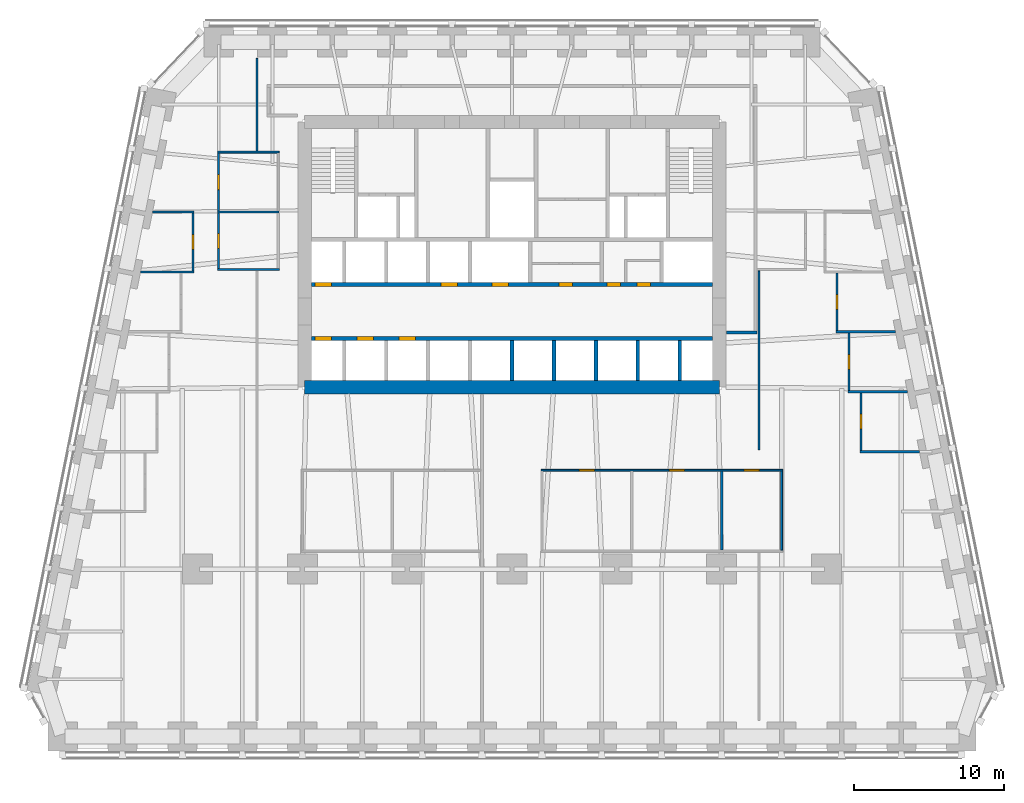
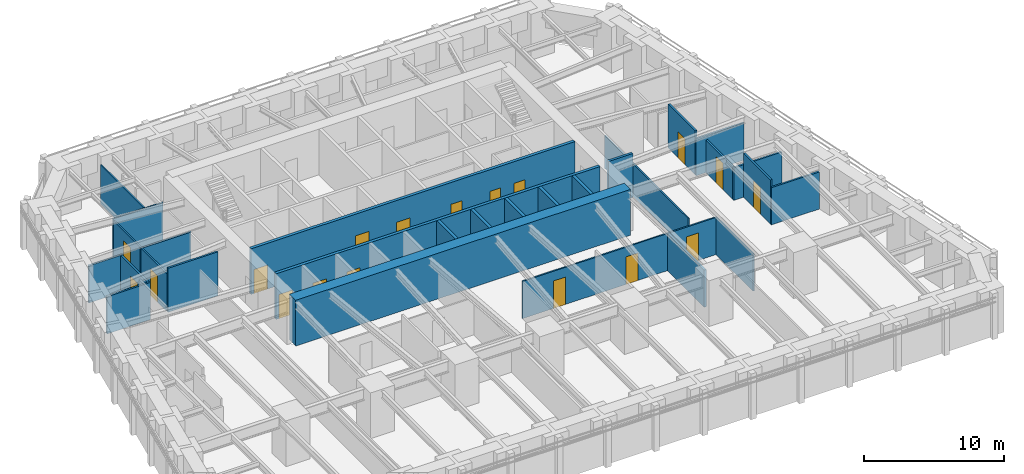
# One storey, part 6 of 10: 28 walls, 18 doors, 18 openings.
"""IFC4 building model written with IfcOpenShell, lengths in metres."""

from ifc_helpers import new_model, si_unit, direction, frame, frame_2d, origin, place, context, subcontext, project, spatial, rectangle, extrude, material, layer, layer_set, type_object, element, fill, save


model = new_model("IFC4")

# Units and contexts
model_context = context("Model", 3, precision=1e-05, world=origin(), true_north=direction((0.0, 1.0)))
body_context = subcontext(model_context, "Body", "Model", "MODEL_VIEW")
ifc_project = project(units=[si_unit("LENGTHUNIT", "METRE"), si_unit("AREAUNIT", "SQUARE_METRE"), si_unit("VOLUMEUNIT", "CUBIC_METRE"), si_unit("PLANEANGLEUNIT", "RADIAN"), si_unit("MASSUNIT", "GRAM", prefix="KILO")], contexts=[model_context])

# Site, building, storey
site_placement = place(None, origin())
site = spatial("IfcSite", under=ifc_project, at=site_placement, CompositionType="ELEMENT")
building_placement = place(site_placement, origin())
building = spatial("IfcBuilding", under=site, at=building_placement, Name="Isbrekke Arena Tower", CompositionType="ELEMENT")
storey_placement = place(building_placement, frame((0.0, 0.0, 68.0)))
storey = spatial("IfcBuildingStorey", under=building, at=storey_placement, Name="L14", CompositionType="ELEMENT", Elevation=68.0)

# Wall
ifc_material_1 = material(Name="Concrete B65 (C65/80)", Category="concrete")
ifc_layer_1 = layer(ifc_material_1, 0.89990234375)
ifc_layer_set_1 = layer_set([ifc_layer_1], Name="CW2 CORE WALL 900")
wall_type_1 = type_object("IfcWallType", Name="CW2 CORE WALL 900", PredefinedType="SHEAR", material=ifc_layer_set_1)
wall_1_placement = place(storey_placement, frame((-13.85009765625, 6.14990234375, 0.0), z_axis=(0.0, 0.0, 1.0), x_axis=(1.0, 0.0, 0.0)))
element("IfcWall", 1, at=wall_1_placement, inside=storey, type_object=wall_type_1, Name="Core wall S L14", PredefinedType="SHEAR", context=body_context, shape_type="SweptSolid", body=[
    extrude(rectangle(XDim=27.7001953125, YDim=0.89990234375, at=frame_2d((13.85009765625, 0.0))), origin(), (0.0, 0.0, 1.0), 4.0),
])

# Wall, openings, doors
ifc_material_2 = material(Name="Concrete B45 (C45/55)", Category="concrete")
ifc_layer_2 = layer(ifc_material_2, 0.25)
ifc_layer_set_2 = layer_set([ifc_layer_2], Name="CW6 SHAFT WALL 250")
wall_type_2 = type_object("IfcWallType", Name="CW6 SHAFT WALL 250", PredefinedType="SHEAR", material=ifc_layer_set_2)
wall_2_placement = place(storey_placement, frame((-13.39990234375, 9.39990234375, 0.0), z_axis=(0.0, 0.0, 1.0), x_axis=(1.0, 0.0, 0.0)))
wall_2 = element("IfcWall", 2, at=wall_2_placement, inside=storey, type_object=wall_type_2, Name="Core wall LS L14", PredefinedType="SHEAR", context=body_context, shape_type="SweptSolid", body=[
    extrude(rectangle(XDim=26.7998046875, YDim=0.25, at=frame_2d((13.39990234375, 0.0))), origin(), (0.0, 0.0, 1.0), 4.0),
])
opening_1_placement = place(wall_2_placement, frame((0.25, 0.0, 0.0)))
opening_1 = element("IfcOpeningElement", 3, at=opening_1_placement, cuts=wall_2, Name="Opening LD1", PredefinedType="OPENING", context=body_context, shape_type="SweptSolid", body=[
    extrude(rectangle(XDim=1.10009765625, YDim=2.10009765625, at=frame_2d((0.550048828125, 1.050048828125))), frame((0.0, 0.139892578125, 0.0), z_axis=(0.0, -1.0, 0.0), x_axis=(1.0, 0.0, 0.0)), (0.0, 0.0, 1.0), 0.27978515625),
])
opening_2_placement = place(wall_2_placement, frame((3.050048828125, 0.0, 0.0)))
opening_2 = element("IfcOpeningElement", 4, at=opening_2_placement, cuts=wall_2, Name="Opening LD1", PredefinedType="OPENING", context=body_context, shape_type="SweptSolid", body=[
    extrude(rectangle(XDim=1.10009765625, YDim=2.10009765625, at=frame_2d((0.550048828125, 1.050048828125))), frame((0.0, 0.139892578125, 0.0), z_axis=(0.0, -1.0, 0.0), x_axis=(1.0, 0.0, 0.0)), (0.0, 0.0, 1.0), 0.27978515625),
])
opening_3_placement = place(wall_2_placement, frame((5.85009765625, 0.0, 0.0)))
opening_3 = element("IfcOpeningElement", 5, at=opening_3_placement, cuts=wall_2, Name="Opening LD1", PredefinedType="OPENING", context=body_context, shape_type="SweptSolid", body=[
    extrude(rectangle(XDim=1.10009765625, YDim=2.10009765625, at=frame_2d((0.550048828125, 1.050048828125))), frame((0.0, 0.139892578125, 0.0), z_axis=(0.0, -1.0, 0.0), x_axis=(1.0, 0.0, 0.0)), (0.0, 0.0, 1.0), 0.27978515625),
])
ifc_material_3 = material(Name="Stainless steel lift landing door", Category="steel")
door_type_1 = type_object("IfcDoorType", Name="LD1 LIFT LANDING DOOR 1100 x 2100", OperationType="SLIDING_TO_LEFT", PredefinedType="DOOR", material=ifc_material_3)
door_1_placement = place(opening_1_placement, origin())
door_1 = element("IfcDoor", 6, at=door_1_placement, inside=storey, type_object=door_type_1, Name="LD1 lift landing door LA L14", OperationType="SLIDING_TO_LEFT", OverallHeight=2.10009765625, OverallWidth=1.10009765625, PredefinedType="DOOR", context=body_context, shape_type="SweptSolid", body=[
    extrude(rectangle(XDim=1.10009765625, YDim=2.10009765625, at=frame_2d((0.550048828125, 1.050048828125))), frame((0.0, 0.124755859375, 0.0), z_axis=(0.0, -1.0, 0.0), x_axis=(1.0, 0.0, 0.0)), (0.0, 0.0, 1.0), 0.24951171875),
])
fill(opening_1, door_1)
door_2_placement = place(opening_2_placement, origin())
door_2 = element("IfcDoor", 7, at=door_2_placement, inside=storey, type_object=door_type_1, Name="LD1 lift landing door LA L14", OperationType="SLIDING_TO_LEFT", OverallHeight=2.10009765625, OverallWidth=1.10009765625, PredefinedType="DOOR", context=body_context, shape_type="SweptSolid", body=[
    extrude(rectangle(XDim=1.10009765625, YDim=2.10009765625, at=frame_2d((0.550048828125, 1.050048828125))), frame((0.0, 0.124755859375, 0.0), z_axis=(0.0, -1.0, 0.0), x_axis=(1.0, 0.0, 0.0)), (0.0, 0.0, 1.0), 0.24951171875),
])
fill(opening_2, door_2)
door_3_placement = place(opening_3_placement, origin())
door_3 = element("IfcDoor", 8, at=door_3_placement, inside=storey, type_object=door_type_1, Name="LD1 lift landing door LA L14", OperationType="SLIDING_TO_LEFT", OverallHeight=2.10009765625, OverallWidth=1.10009765625, PredefinedType="DOOR", context=body_context, shape_type="SweptSolid", body=[
    extrude(rectangle(XDim=1.10009765625, YDim=2.10009765625, at=frame_2d((0.550048828125, 1.050048828125))), frame((0.0, 0.124755859375, 0.0), z_axis=(0.0, -1.0, 0.0), x_axis=(1.0, 0.0, 0.0)), (0.0, 0.0, 1.0), 0.24951171875),
])
fill(opening_3, door_3)

wall_3_placement = place(storey_placement, frame((-13.39990234375, 13.0, 0.0), z_axis=(0.0, 0.0, 1.0), x_axis=(1.0, 0.0, 0.0)))
wall_3 = element("IfcWall", 9, at=wall_3_placement, inside=storey, type_object=wall_type_2, Name="Core wall LN L14", PredefinedType="SHEAR", context=body_context, shape_type="SweptSolid", body=[
    extrude(rectangle(XDim=26.7998046875, YDim=0.25, at=frame_2d((13.39990234375, 0.0))), origin(), (0.0, 0.0, 1.0), 4.0),
])
opening_4_placement = place(wall_3_placement, frame((0.25, 0.0, 0.0)))
opening_4 = element("IfcOpeningElement", 10, at=opening_4_placement, cuts=wall_3, Name="Opening LD1", PredefinedType="OPENING", context=body_context, shape_type="SweptSolid", body=[
    extrude(rectangle(XDim=1.10009765625, YDim=2.10009765625, at=frame_2d((0.550048828125, 1.050048828125))), frame((0.0, 0.139892578125, 0.0), z_axis=(0.0, -1.0, 0.0), x_axis=(1.0, 0.0, 0.0)), (0.0, 0.0, 1.0), 0.27978515625),
])
opening_5_placement = place(wall_3_placement, frame((8.64990234375, 0.0, 0.0)))
opening_5 = element("IfcOpeningElement", 11, at=opening_5_placement, cuts=wall_3, Name="Opening LD1", PredefinedType="OPENING", context=body_context, shape_type="SweptSolid", body=[
    extrude(rectangle(XDim=1.10009765625, YDim=2.10009765625, at=frame_2d((0.550048828125, 1.050048828125))), frame((0.0, 0.139892578125, 0.0), z_axis=(0.0, -1.0, 0.0), x_axis=(1.0, 0.0, 0.0)), (0.0, 0.0, 1.0), 0.27978515625),
])
opening_6_placement = place(wall_3_placement, frame((12.050048828125, 0.0, 0.0)))
opening_6 = element("IfcOpeningElement", 12, at=opening_6_placement, cuts=wall_3, Name="Opening LD1", PredefinedType="OPENING", context=body_context, shape_type="SweptSolid", body=[
    extrude(rectangle(XDim=1.10009765625, YDim=2.10009765625, at=frame_2d((0.550048828125, 1.050048828125))), frame((0.0, 0.139892578125, 0.0), z_axis=(0.0, -1.0, 0.0), x_axis=(1.0, 0.0, 0.0)), (0.0, 0.0, 1.0), 0.27978515625),
])
opening_7_placement = place(wall_3_placement, frame((16.550048828125, 0.0, 0.0)))
opening_7 = element("IfcOpeningElement", 13, at=opening_7_placement, cuts=wall_3, Name="Opening D5", PredefinedType="OPENING", context=body_context, shape_type="SweptSolid", body=[
    extrude(rectangle(XDim=0.89990234375, YDim=2.10009765625, at=frame_2d((0.449951171875, 1.050048828125))), frame((0.0, 0.139892578125, 0.0), z_axis=(0.0, -1.0, 0.0), x_axis=(1.0, 0.0, 0.0)), (0.0, 0.0, 1.0), 0.27978515625),
])
opening_8_placement = place(wall_3_placement, frame((19.75, 0.0, 0.0)))
opening_8 = element("IfcOpeningElement", 14, at=opening_8_placement, cuts=wall_3, Name="Opening D5", PredefinedType="OPENING", context=body_context, shape_type="SweptSolid", body=[
    extrude(rectangle(XDim=0.89990234375, YDim=2.10009765625, at=frame_2d((0.449951171875, 1.050048828125))), frame((0.0, 0.139892578125, 0.0), z_axis=(0.0, -1.0, 0.0), x_axis=(1.0, 0.0, 0.0)), (0.0, 0.0, 1.0), 0.27978515625),
])
opening_9_placement = place(wall_3_placement, frame((21.75, 0.0, 0.0)))
opening_9 = element("IfcOpeningElement", 15, at=opening_9_placement, cuts=wall_3, Name="Opening D5", PredefinedType="OPENING", context=body_context, shape_type="SweptSolid", body=[
    extrude(rectangle(XDim=0.89990234375, YDim=2.10009765625, at=frame_2d((0.449951171875, 1.050048828125))), frame((0.0, 0.139892578125, 0.0), z_axis=(0.0, -1.0, 0.0), x_axis=(1.0, 0.0, 0.0)), (0.0, 0.0, 1.0), 0.27978515625),
])
ifc_material_4 = material(Name="Steel fire door", Category="steel")
door_type_2 = type_object("IfcDoorType", Name="D5 SERVICE DOOR 900 x 2100", OperationType="SINGLE_SWING_LEFT", PredefinedType="DOOR", material=ifc_material_4)
door_4_placement = place(opening_7_placement, origin())
door_4 = element("IfcDoor", 16, at=door_4_placement, inside=storey, type_object=door_type_2, Name="D5 tea point door L14", OperationType="SINGLE_SWING_LEFT", OverallHeight=2.10009765625, OverallWidth=0.89990234375, PredefinedType="DOOR", context=body_context, shape_type="SweptSolid", body=[
    extrude(rectangle(XDim=0.89990234375, YDim=2.10009765625, at=frame_2d((0.449951171875, 1.050048828125))), frame((0.0, 0.124755859375, 0.0), z_axis=(0.0, -1.0, 0.0), x_axis=(1.0, 0.0, 0.0)), (0.0, 0.0, 1.0), 0.24951171875),
])
fill(opening_7, door_4)
door_5_placement = place(opening_8_placement, origin())
door_5 = element("IfcDoor", 17, at=door_5_placement, inside=storey, type_object=door_type_2, Name="D5 communications room door L14", OperationType="SINGLE_SWING_LEFT", OverallHeight=2.10009765625, OverallWidth=0.89990234375, PredefinedType="DOOR", context=body_context, shape_type="SweptSolid", body=[
    extrude(rectangle(XDim=0.89990234375, YDim=2.10009765625, at=frame_2d((0.449951171875, 1.050048828125))), frame((0.0, 0.124755859375, 0.0), z_axis=(0.0, -1.0, 0.0), x_axis=(1.0, 0.0, 0.0)), (0.0, 0.0, 1.0), 0.24951171875),
])
fill(opening_8, door_5)
door_6_placement = place(opening_9_placement, origin())
door_6 = element("IfcDoor", 18, at=door_6_placement, inside=storey, type_object=door_type_2, Name="D5 cleaner's store door L14", OperationType="SINGLE_SWING_LEFT", OverallHeight=2.10009765625, OverallWidth=0.89990234375, PredefinedType="DOOR", context=body_context, shape_type="SweptSolid", body=[
    extrude(rectangle(XDim=0.89990234375, YDim=2.10009765625, at=frame_2d((0.449951171875, 1.050048828125))), frame((0.0, 0.124755859375, 0.0), z_axis=(0.0, -1.0, 0.0), x_axis=(1.0, 0.0, 0.0)), (0.0, 0.0, 1.0), 0.24951171875),
])
fill(opening_9, door_6)
door_7_placement = place(opening_4_placement, origin())
door_7 = element("IfcDoor", 19, at=door_7_placement, inside=storey, type_object=door_type_1, Name="LD1 lift landing door LA L14", OperationType="SLIDING_TO_LEFT", OverallHeight=2.10009765625, OverallWidth=1.10009765625, PredefinedType="DOOR", context=body_context, shape_type="SweptSolid", body=[
    extrude(rectangle(XDim=1.10009765625, YDim=2.10009765625, at=frame_2d((0.550048828125, 1.050048828125))), frame((0.0, 0.124755859375, 0.0), z_axis=(0.0, -1.0, 0.0), x_axis=(1.0, 0.0, 0.0)), (0.0, 0.0, 1.0), 0.24951171875),
])
fill(opening_4, door_7)
door_8_placement = place(opening_5_placement, origin())
door_8 = element("IfcDoor", 20, at=door_8_placement, inside=storey, type_object=door_type_1, Name="LD1 lift landing door LA L14", OperationType="SLIDING_TO_LEFT", OverallHeight=2.10009765625, OverallWidth=1.10009765625, PredefinedType="DOOR", context=body_context, shape_type="SweptSolid", body=[
    extrude(rectangle(XDim=1.10009765625, YDim=2.10009765625, at=frame_2d((0.550048828125, 1.050048828125))), frame((0.0, 0.124755859375, 0.0), z_axis=(0.0, -1.0, 0.0), x_axis=(1.0, 0.0, 0.0)), (0.0, 0.0, 1.0), 0.24951171875),
])
fill(opening_5, door_8)
door_9_placement = place(opening_6_placement, origin())
door_9 = element("IfcDoor", 21, at=door_9_placement, inside=storey, type_object=door_type_1, Name="LD1 lift landing door LA L14", OperationType="SLIDING_TO_LEFT", OverallHeight=2.10009765625, OverallWidth=1.10009765625, PredefinedType="DOOR", context=body_context, shape_type="SweptSolid", body=[
    extrude(rectangle(XDim=1.10009765625, YDim=2.10009765625, at=frame_2d((0.550048828125, 1.050048828125))), frame((0.0, 0.124755859375, 0.0), z_axis=(0.0, -1.0, 0.0), x_axis=(1.0, 0.0, 0.0)), (0.0, 0.0, 1.0), 0.24951171875),
])
fill(opening_6, door_9)

# Walls
for number, where, z_axis, x_axis, name in (
    (22, (0.0, 6.60009765625, 0.0), (0.0, 0.0, 1.0), (0.0, 1.0, 0.0), "Core wall SS05 L14"),
    (23, (2.800048828125, 6.60009765625, 0.0), (0.0, 0.0, 1.0), (0.0, 1.0, 0.0), "Core wall SS06 L14"),
    (24, (5.60009765625, 6.60009765625, 0.0), (0.0, 0.0, 1.0), (0.0, 1.0, 0.0), "Core wall SS07 L14"),
    (25, (8.39990234375, 6.60009765625, 0.0), (0.0, 0.0, 1.0), (0.0, 1.0, 0.0), "Core wall SS08 L14"),
    (26, (11.199951171875, 6.60009765625, 0.0), (0.0, 0.0, 1.0), (0.0, 1.0, 0.0), "Core wall SS09 L14"),
):
    element("IfcWall", number, at=place(storey_placement, frame(where, z_axis=z_axis, x_axis=x_axis)), inside=storey, type_object=wall_type_2, Name=name, PredefinedType="SHEAR", context=body_context, shape_type="SweptSolid", body=[
        extrude(rectangle(XDim=2.6748046875, YDim=0.25, at=frame_2d((1.33740234375, 0.0))), origin(), (0.0, 0.0, 1.0), 4.0),
    ])
ifc_material_5 = material(Name="Gypsum board partition on steel studs", Category="steel")
ifc_layer_3 = layer(ifc_material_5, 0.14990234375)
ifc_layer_set_3 = layer_set([ifc_layer_3], Name="IW1 PARTITION 150")
wall_type_3 = type_object("IfcWallType", Name="IW1 PARTITION 150", PredefinedType="PARTITIONING", material=ifc_layer_set_3)
wall_4_placement = place(storey_placement, frame((23.22509765625, 1.840087890625, 0.0), z_axis=(0.0, 0.0, 1.0), x_axis=(1.0, 0.0, 0.0)))
element("IfcWall", 27, at=wall_4_placement, inside=storey, type_object=wall_type_3, Name="IW1 partition 150 L14", PredefinedType="PARTITIONING", context=body_context, shape_type="SweptSolid", body=[
    extrude(rectangle(XDim=3.97119140625, YDim=0.14990234375, at=frame_2d((1.985595703125, 0.0))), origin(), (0.0, 0.0, 1.0), 3.25),
])
wall_5_placement = place(storey_placement, frame((22.425048828125, 5.840087890625, 0.0), z_axis=(0.0, 0.0, 1.0), x_axis=(1.0, 0.0, 0.0)))
element("IfcWall", 28, at=wall_5_placement, inside=storey, type_object=wall_type_3, Name="IW1 partition 150 L14", PredefinedType="PARTITIONING", context=body_context, shape_type="SweptSolid", body=[
    extrude(rectangle(XDim=3.971435546875, YDim=0.14990234375, at=frame_2d((1.98583984375, 0.0))), origin(), (0.0, 0.0, 1.0), 2.842041015625),
])
wall_6_placement = place(storey_placement, frame((21.625, 9.840087890625, 0.0), z_axis=(0.0, 0.0, 1.0), x_axis=(1.0, 0.0, 0.0)))
element("IfcWall", 29, at=wall_6_placement, inside=storey, type_object=wall_type_3, Name="IW1 partition 150 L14", PredefinedType="PARTITIONING", context=body_context, shape_type="SweptSolid", body=[
    extrude(rectangle(XDim=3.971435546875, YDim=0.14990234375, at=frame_2d((1.98583984375, 0.0))), origin(), (0.0, 0.0, 1.0), 3.25),
])
wall_7_placement = place(storey_placement, frame((-24.79638671875, 13.840087890625, 0.0), z_axis=(0.0, 0.0, 1.0), x_axis=(1.0, 0.0, 0.0)))
element("IfcWall", 30, at=wall_7_placement, inside=storey, type_object=wall_type_3, Name="IW1 partition 150 L14", PredefinedType="PARTITIONING", context=body_context, shape_type="SweptSolid", body=[
    extrude(rectangle(XDim=3.5712890625, YDim=0.14990234375, at=frame_2d((1.78564453125, 0.0))), origin(), (0.0, 0.0, 1.0), 3.25),
])
wall_8_placement = place(storey_placement, frame((-19.675048828125, 14.0, 0.0), z_axis=(0.0, 0.0, 1.0), x_axis=(1.0, 0.0, 0.0)))
element("IfcWall", 31, at=wall_8_placement, inside=storey, type_object=wall_type_3, Name="IW1 partition 150 L14", PredefinedType="PARTITIONING", context=body_context, shape_type="SweptSolid", body=[
    extrude(rectangle(XDim=4.150146484375, YDim=0.14990234375, at=frame_2d((2.0751953125, 0.0))), origin(), (0.0, 0.0, 1.0), 3.85009765625),
])
wall_9_placement = place(storey_placement, frame((-23.996337890625, 17.840087890625, 0.0), z_axis=(0.0, 0.0, 1.0), x_axis=(1.0, 0.0, 0.0)))
element("IfcWall", 32, at=wall_9_placement, inside=storey, type_object=wall_type_3, Name="IW1 partition 150 L14", PredefinedType="PARTITIONING", context=body_context, shape_type="SweptSolid", body=[
    extrude(rectangle(XDim=2.771240234375, YDim=0.14990234375, at=frame_2d((1.3857421875, 0.0))), origin(), (0.0, 0.0, 1.0), 3.25),
])
wall_10_placement = place(storey_placement, frame((-19.659912109375, 17.840087890625, 0.0), z_axis=(0.0, 0.0, 1.0), x_axis=(1.0, 0.0, 0.0)))
element("IfcWall", 33, at=wall_10_placement, inside=storey, type_object=wall_type_3, Name="IW1 partition 150 L14", PredefinedType="PARTITIONING", context=body_context, shape_type="SweptSolid", body=[
    extrude(rectangle(XDim=4.119873046875, YDim=0.14990234375, at=frame_2d((2.06005859375, 0.0))), origin(), (0.0, 0.0, 1.0), 3.25),
])

# Wall, opening, door
wall_11_placement = place(storey_placement, frame((-21.300048828125, 13.9150390625, 0.0), z_axis=(0.0, 0.0, 1.0), x_axis=(0.0, 1.0, 0.0)))
wall_11 = element("IfcWall", 34, at=wall_11_placement, inside=storey, type_object=wall_type_3, Name="IW1 partition 150 L14", PredefinedType="PARTITIONING", context=body_context, shape_type="SweptSolid", body=[
    extrude(rectangle(XDim=3.849853515625, YDim=0.14990234375, at=frame_2d((1.9248046875, 0.0))), origin(), (0.0, 0.0, 1.0), 3.25),
])
opening_10_placement = place(wall_11_placement, frame((1.425048828125, 0.0, 0.0)))
opening_10 = element("IfcOpeningElement", 35, at=opening_10_placement, cuts=wall_11, Name="Opening D10", PredefinedType="OPENING", context=body_context, shape_type="SweptSolid", body=[
    extrude(rectangle(XDim=1.0, YDim=2.300048828125, at=frame_2d((0.5, 1.14990234375))), frame((0.0, 0.08984375, 0.0), z_axis=(0.0, -1.0, 0.0), x_axis=(1.0, 0.0, 0.0)), (0.0, 0.0, 1.0), 0.1796875),
])
ifc_material_6 = material(Name="Timber door", Category="wood")
door_type_3 = type_object("IfcDoorType", Name="D10 OFFICE DOOR 1000 x 2300", OperationType="SINGLE_SWING_LEFT", PredefinedType="DOOR", material=ifc_material_6)
door_10_placement = place(opening_10_placement, origin())
door_10 = element("IfcDoor", 36, at=door_10_placement, inside=storey, type_object=door_type_3, Name="D10 office door L14", OperationType="SINGLE_SWING_LEFT", OverallHeight=2.300048828125, OverallWidth=1.0, PredefinedType="DOOR", context=body_context, shape_type="SweptSolid", body=[
    extrude(rectangle(XDim=1.0, YDim=2.300048828125, at=frame_2d((0.5, 1.14990234375))), frame((0.0, 0.07470703125, 0.0), z_axis=(0.0, -1.0, 0.0), x_axis=(1.0, 0.0, 0.0)), (0.0, 0.0, 1.0), 0.1494140625),
])
fill(opening_10, door_10)

wall_12_placement = place(storey_placement, frame((-19.60009765625, 14.074951171875, 0.0), z_axis=(0.0, 0.0, 1.0), x_axis=(0.0, 1.0, 0.0)))
wall_12 = element("IfcWall", 37, at=wall_12_placement, inside=storey, type_object=wall_type_3, Name="IW1 partition 150 L14", PredefinedType="PARTITIONING", context=body_context, shape_type="SweptSolid", body=[
    extrude(rectangle(XDim=3.68994140625, YDim=0.14990234375, at=frame_2d((1.844970703125, 0.0))), origin(), (0.0, 0.0, 1.0), 3.25),
])
opening_11_placement = place(wall_12_placement, frame((1.344970703125, 0.0, 0.0)))
opening_11 = element("IfcOpeningElement", 38, at=opening_11_placement, cuts=wall_12, Name="Opening D10", PredefinedType="OPENING", context=body_context, shape_type="SweptSolid", body=[
    extrude(rectangle(XDim=1.0, YDim=2.300048828125, at=frame_2d((0.5, 1.14990234375))), frame((0.0, 0.08984375, 0.0), z_axis=(0.0, -1.0, 0.0), x_axis=(1.0, 0.0, 0.0)), (0.0, 0.0, 1.0), 0.1796875),
])
door_11_placement = place(opening_11_placement, origin())
door_11 = element("IfcDoor", 39, at=door_11_placement, inside=storey, type_object=door_type_3, Name="D10 pantry door L14", OperationType="SINGLE_SWING_LEFT", OverallHeight=2.300048828125, OverallWidth=1.0, PredefinedType="DOOR", context=body_context, shape_type="SweptSolid", body=[
    extrude(rectangle(XDim=1.0, YDim=2.300048828125, at=frame_2d((0.5, 1.14990234375))), frame((0.0, 0.07470703125, 0.0), z_axis=(0.0, -1.0, 0.0), x_axis=(1.0, 0.0, 0.0)), (0.0, 0.0, 1.0), 0.1494140625),
])
fill(opening_11, door_11)

wall_13_placement = place(storey_placement, frame((21.699951171875, 9.9150390625, 0.0), z_axis=(0.0, 0.0, 1.0), x_axis=(0.0, 1.0, 0.0)))
wall_13 = element("IfcWall", 40, at=wall_13_placement, inside=storey, type_object=wall_type_3, Name="IW1 partition 150 L14", PredefinedType="PARTITIONING", context=body_context, shape_type="SweptSolid", body=[
    extrude(rectangle(XDim=3.849853515625, YDim=0.14990234375, at=frame_2d((1.9248046875, 0.0))), origin(), (0.0, 0.0, 1.0), 3.85009765625),
])
opening_12_placement = place(wall_13_placement, frame((1.425048828125, 0.0, 0.0)))
opening_12 = element("IfcOpeningElement", 41, at=opening_12_placement, cuts=wall_13, Name="Opening D10", PredefinedType="OPENING", context=body_context, shape_type="SweptSolid", body=[
    extrude(rectangle(XDim=1.0, YDim=2.300048828125, at=frame_2d((0.5, 1.14990234375))), frame((0.0, 0.08984375, 0.0), z_axis=(0.0, -1.0, 0.0), x_axis=(1.0, 0.0, 0.0)), (0.0, 0.0, 1.0), 0.1796875),
])
door_12_placement = place(opening_12_placement, origin())
door_12 = element("IfcDoor", 42, at=door_12_placement, inside=storey, type_object=door_type_3, Name="D10 office door L14", OperationType="SINGLE_SWING_LEFT", OverallHeight=2.300048828125, OverallWidth=1.0, PredefinedType="DOOR", context=body_context, shape_type="SweptSolid", body=[
    extrude(rectangle(XDim=1.0, YDim=2.300048828125, at=frame_2d((0.5, 1.14990234375))), frame((0.0, 0.07470703125, 0.0), z_axis=(0.0, -1.0, 0.0), x_axis=(1.0, 0.0, 0.0)), (0.0, 0.0, 1.0), 0.1494140625),
])
fill(opening_12, door_12)

wall_14_placement = place(storey_placement, frame((22.5, 5.9150390625, 0.0), z_axis=(0.0, 0.0, 1.0), x_axis=(0.0, 1.0, 0.0)))
wall_14 = element("IfcWall", 43, at=wall_14_placement, inside=storey, type_object=wall_type_3, Name="IW1 partition 150 L14", PredefinedType="PARTITIONING", context=body_context, shape_type="SweptSolid", body=[
    extrude(rectangle(XDim=3.849853515625, YDim=0.14990234375, at=frame_2d((1.9248046875, 0.0))), origin(), (0.0, 0.0, 1.0), 2.842041015625),
])
opening_13_placement = place(wall_14_placement, frame((1.425048828125, 0.0, 0.0)))
opening_13 = element("IfcOpeningElement", 44, at=opening_13_placement, cuts=wall_14, Name="Opening D10", PredefinedType="OPENING", context=body_context, shape_type="SweptSolid", body=[
    extrude(rectangle(XDim=1.0, YDim=2.300048828125, at=frame_2d((0.5, 1.14990234375))), frame((0.0, 0.08984375, 0.0), z_axis=(0.0, -1.0, 0.0), x_axis=(1.0, 0.0, 0.0)), (0.0, 0.0, 1.0), 0.1796875),
])
door_13_placement = place(opening_13_placement, origin())
door_13 = element("IfcDoor", 45, at=door_13_placement, inside=storey, type_object=door_type_3, Name="D10 office door L14", OperationType="SINGLE_SWING_LEFT", OverallHeight=2.300048828125, OverallWidth=1.0, PredefinedType="DOOR", context=body_context, shape_type="SweptSolid", body=[
    extrude(rectangle(XDim=1.0, YDim=2.300048828125, at=frame_2d((0.5, 1.14990234375))), frame((0.0, 0.07470703125, 0.0), z_axis=(0.0, -1.0, 0.0), x_axis=(1.0, 0.0, 0.0)), (0.0, 0.0, 1.0), 0.1494140625),
])
fill(opening_13, door_13)

wall_15_placement = place(storey_placement, frame((23.300048828125, 1.9150390625, 0.0), z_axis=(0.0, 0.0, 1.0), x_axis=(0.0, 1.0, 0.0)))
wall_15 = element("IfcWall", 46, at=wall_15_placement, inside=storey, type_object=wall_type_3, Name="IW1 partition 150 L14", PredefinedType="PARTITIONING", context=body_context, shape_type="SweptSolid", body=[
    extrude(rectangle(XDim=3.849853515625, YDim=0.14990234375, at=frame_2d((1.9248046875, 0.0))), origin(), (0.0, 0.0, 1.0), 3.85009765625),
])
opening_14_placement = place(wall_15_placement, frame((1.425048828125, 0.0, 0.0)))
opening_14 = element("IfcOpeningElement", 47, at=opening_14_placement, cuts=wall_15, Name="Opening D10", PredefinedType="OPENING", context=body_context, shape_type="SweptSolid", body=[
    extrude(rectangle(XDim=1.0, YDim=2.300048828125, at=frame_2d((0.5, 1.14990234375))), frame((0.0, 0.08984375, 0.0), z_axis=(0.0, -1.0, 0.0), x_axis=(1.0, 0.0, 0.0)), (0.0, 0.0, 1.0), 0.1796875),
])
door_14_placement = place(opening_14_placement, origin())
door_14 = element("IfcDoor", 48, at=door_14_placement, inside=storey, type_object=door_type_3, Name="D10 office door L14", OperationType="SINGLE_SWING_LEFT", OverallHeight=2.300048828125, OverallWidth=1.0, PredefinedType="DOOR", context=body_context, shape_type="SweptSolid", body=[
    extrude(rectangle(XDim=1.0, YDim=2.300048828125, at=frame_2d((0.5, 1.14990234375))), frame((0.0, 0.07470703125, 0.0), z_axis=(0.0, -1.0, 0.0), x_axis=(1.0, 0.0, 0.0)), (0.0, 0.0, 1.0), 0.1494140625),
])
fill(opening_14, door_14)

# Wall, openings, doors
ifc_material_7 = material(Name="Frameless glazed partition, laminated acoustic glass", Category="glass")
ifc_layer_4 = layer(ifc_material_7, 0.1201171875)
ifc_layer_set_4 = layer_set([ifc_layer_4], Name="IW2 GLAZED PARTITION 120")
wall_type_4 = type_object("IfcWallType", Name="IW2 GLAZED PARTITION 120", PredefinedType="PARTITIONING", material=ifc_layer_set_4)
wall_16_placement = place(storey_placement, frame((1.93994140625, 0.60009765625, 0.0), z_axis=(0.0, 0.0, 1.0), x_axis=(1.0, 0.0, 0.0)))
wall_16 = element("IfcWall", 49, at=wall_16_placement, inside=storey, type_object=wall_type_4, Name="IW2 glazed partition 120 L14", PredefinedType="PARTITIONING", context=body_context, shape_type="SweptSolid", body=[
    extrude(rectangle(XDim=16.1201171875, YDim=0.1201171875, at=frame_2d((8.06005859375, 0.0))), origin(), (0.0, 0.0, 1.0), 3.25),
])
opening_15_placement = place(wall_16_placement, frame((2.56005859375, 0.0, 0.0)))
opening_15 = element("IfcOpeningElement", 50, at=opening_15_placement, cuts=wall_16, Name="Opening D11", PredefinedType="OPENING", context=body_context, shape_type="SweptSolid", body=[
    extrude(rectangle(XDim=1.0, YDim=2.39990234375, at=frame_2d((0.5, 1.199951171875))), frame((0.0, 0.074951171875, 0.0), z_axis=(0.0, -1.0, 0.0), x_axis=(1.0, 0.0, 0.0)), (0.0, 0.0, 1.0), 0.14990234375),
])
opening_16_placement = place(wall_16_placement, frame((8.56005859375, 0.0, 0.0)))
opening_16 = element("IfcOpeningElement", 51, at=opening_16_placement, cuts=wall_16, Name="Opening D11", PredefinedType="OPENING", context=body_context, shape_type="SweptSolid", body=[
    extrude(rectangle(XDim=1.0, YDim=2.39990234375, at=frame_2d((0.5, 1.199951171875))), frame((0.0, 0.074951171875, 0.0), z_axis=(0.0, -1.0, 0.0), x_axis=(1.0, 0.0, 0.0)), (0.0, 0.0, 1.0), 0.14990234375),
])
opening_17_placement = place(wall_16_placement, frame((13.56005859375, 0.0, 0.0)))
opening_17 = element("IfcOpeningElement", 52, at=opening_17_placement, cuts=wall_16, Name="Opening D11", PredefinedType="OPENING", context=body_context, shape_type="SweptSolid", body=[
    extrude(rectangle(XDim=1.0, YDim=2.39990234375, at=frame_2d((0.5, 1.199951171875))), frame((0.0, 0.074951171875, 0.0), z_axis=(0.0, -1.0, 0.0), x_axis=(1.0, 0.0, 0.0)), (0.0, 0.0, 1.0), 0.14990234375),
])
ifc_material_8 = material(Name="Frameless glazed door", Category="glass")
door_type_4 = type_object("IfcDoorType", Name="D11 GLAZED MEETING ROOM DOOR 1000 x 2400", OperationType="SINGLE_SWING_RIGHT", PredefinedType="DOOR", material=ifc_material_8)
door_15_placement = place(opening_15_placement, origin())
door_15 = element("IfcDoor", 53, at=door_15_placement, inside=storey, type_object=door_type_4, Name="D11 meeting room door L14", OperationType="SINGLE_SWING_RIGHT", OverallHeight=2.39990234375, OverallWidth=1.0, PredefinedType="DOOR", context=body_context, shape_type="SweptSolid", body=[
    extrude(rectangle(XDim=1.0, YDim=2.39990234375, at=frame_2d((0.5, 1.199951171875))), frame((0.0, 0.059814453125, 0.0), z_axis=(0.0, -1.0, 0.0), x_axis=(1.0, 0.0, 0.0)), (0.0, 0.0, 1.0), 0.11962890625),
])
fill(opening_15, door_15)
door_16_placement = place(opening_16_placement, origin())
door_16 = element("IfcDoor", 54, at=door_16_placement, inside=storey, type_object=door_type_4, Name="D11 meeting room door L14", OperationType="SINGLE_SWING_RIGHT", OverallHeight=2.39990234375, OverallWidth=1.0, PredefinedType="DOOR", context=body_context, shape_type="SweptSolid", body=[
    extrude(rectangle(XDim=1.0, YDim=2.39990234375, at=frame_2d((0.5, 1.199951171875))), frame((0.0, 0.059814453125, 0.0), z_axis=(0.0, -1.0, 0.0), x_axis=(1.0, 0.0, 0.0)), (0.0, 0.0, 1.0), 0.11962890625),
])
fill(opening_16, door_16)
door_17_placement = place(opening_17_placement, origin())
door_17 = element("IfcDoor", 55, at=door_17_placement, inside=storey, type_object=door_type_4, Name="D11 quiet room door L14", OperationType="SINGLE_SWING_RIGHT", OverallHeight=2.39990234375, OverallWidth=1.0, PredefinedType="DOOR", context=body_context, shape_type="SweptSolid", body=[
    extrude(rectangle(XDim=1.0, YDim=2.39990234375, at=frame_2d((0.5, 1.199951171875))), frame((0.0, 0.059814453125, 0.0), z_axis=(0.0, -1.0, 0.0), x_axis=(1.0, 0.0, 0.0)), (0.0, 0.0, 1.0), 0.11962890625),
])
fill(opening_17, door_17)

# Wall
wall_17_placement = place(storey_placement, frame((-19.659912109375, 21.840087890625, 0.0), z_axis=(0.0, 0.0, 1.0), x_axis=(1.0, 0.0, 0.0)))
element("IfcWall", 56, at=wall_17_placement, inside=storey, type_object=wall_type_4, Name="IW2 glazed partition 120 L14", PredefinedType="PARTITIONING", context=body_context, shape_type="SweptSolid", body=[
    extrude(rectangle(XDim=4.119873046875, YDim=0.1201171875, at=frame_2d((2.06005859375, 0.0))), origin(), (0.0, 0.0, 1.0), 3.39990234375),
])

# Wall, opening, door
wall_18_placement = place(storey_placement, frame((-19.60009765625, 17.9150390625, 0.0), z_axis=(0.0, 0.0, 1.0), x_axis=(0.0, 1.0, 0.0)))
wall_18 = element("IfcWall", 57, at=wall_18_placement, inside=storey, type_object=wall_type_4, Name="IW2 glazed partition 120 L14", PredefinedType="PARTITIONING", context=body_context, shape_type="SweptSolid", body=[
    extrude(rectangle(XDim=3.864990234375, YDim=0.1201171875, at=frame_2d((1.9326171875, 0.0))), origin(), (0.0, 0.0, 1.0), 3.25),
])
opening_18_placement = place(wall_18_placement, frame((1.425048828125, 0.0, 0.0)))
opening_18 = element("IfcOpeningElement", 58, at=opening_18_placement, cuts=wall_18, Name="Opening D11", PredefinedType="OPENING", context=body_context, shape_type="SweptSolid", body=[
    extrude(rectangle(XDim=1.0, YDim=2.39990234375, at=frame_2d((0.5, 1.199951171875))), frame((0.0, 0.074951171875, 0.0), z_axis=(0.0, -1.0, 0.0), x_axis=(1.0, 0.0, 0.0)), (0.0, 0.0, 1.0), 0.14990234375),
])
door_18_placement = place(opening_18_placement, origin())
door_18 = element("IfcDoor", 59, at=door_18_placement, inside=storey, type_object=door_type_4, Name="D11 quiet room door L14", OperationType="SINGLE_SWING_RIGHT", OverallHeight=2.39990234375, OverallWidth=1.0, PredefinedType="DOOR", context=body_context, shape_type="SweptSolid", body=[
    extrude(rectangle(XDim=1.0, YDim=2.39990234375, at=frame_2d((0.5, 1.199951171875))), frame((0.0, 0.059814453125, 0.0), z_axis=(0.0, -1.0, 0.0), x_axis=(1.0, 0.0, 0.0)), (0.0, 0.0, 1.0), 0.11962890625),
])
fill(opening_18, door_18)

# Walls
wall_19_placement = place(storey_placement, frame((18.0, -4.739990234375, 0.0), z_axis=(0.0, 0.0, 1.0), x_axis=(0.0, 1.0, 0.0)))
element("IfcWall", 60, at=wall_19_placement, inside=storey, type_object=wall_type_4, Name="IW2 glazed partition 120 L14", PredefinedType="PARTITIONING", context=body_context, shape_type="SweptSolid", body=[
    extrude(rectangle(XDim=5.280029296875, YDim=0.1201171875, at=frame_2d((2.64013671875, 0.0))), origin(), (0.0, 0.0, 1.0), 3.25),
])
wall_20_placement = place(storey_placement, frame((-17.01904296875, 21.919921875, 0.0), z_axis=(0.0, 0.0, 1.0), x_axis=(0.0, 1.0, 0.0)))
element("IfcWall", 61, at=wall_20_placement, inside=storey, type_object=wall_type_4, Name="IW2 glazed partition 120 L14", PredefinedType="PARTITIONING", context=body_context, shape_type="SweptSolid", body=[
    extrude(rectangle(XDim=6.18017578125, YDim=0.1201171875, at=frame_2d((3.090087890625, 0.0))), origin(), (0.0, 0.0, 1.0), 3.39990234375),
])
wall_21_placement = place(storey_placement, frame((16.490966796875, 1.9599609375, 0.0), z_axis=(0.0, 0.0, 1.0), x_axis=(0.0, 1.0, 0.0)))
element("IfcWall", 62, at=wall_21_placement, inside=storey, type_object=wall_type_4, Name="IW2 glazed partition 120 L14", PredefinedType="PARTITIONING", context=body_context, shape_type="SweptSolid", body=[
    extrude(rectangle(XDim=11.945068359375, YDim=0.1201171875, at=frame_2d((5.97265625, 0.0))), origin(), (0.0, 0.0, 1.0), 2.842041015625),
])
ifc_material_9 = material(Name="Gypsum board fire-cell wall on steel studs, two layers each side", Category="steel")
ifc_layer_5 = layer(ifc_material_9, 0.199951171875)
ifc_layer_set_5 = layer_set([ifc_layer_5], Name="IW3 FIRE-CELL WALL 200")
wall_type_5 = type_object("IfcWallType", Name="IW3 FIRE-CELL WALL 200", PredefinedType="PARTITIONING", material=ifc_layer_set_5)
wall_22_placement = place(storey_placement, frame((14.330078125, 9.800048828125, 0.0), z_axis=(0.0, 0.0, 1.0), x_axis=(1.0, 0.0, 0.0)))
element("IfcWall", 63, at=wall_22_placement, inside=storey, type_object=wall_type_5, Name="IW3 fire-cell wall 200 L14", PredefinedType="PARTITIONING", context=body_context, shape_type="SweptSolid", body=[
    extrude(rectangle(XDim=2.02001953125, YDim=0.199951171875, at=frame_2d((1.010009765625, 0.0))), origin(), (0.0, 0.0, 1.0), 3.85009765625),
])
ifc_material_10 = material(Name="Gypsum board acoustic partition on twin steel studs", Category="steel")
ifc_layer_6 = layer(ifc_material_10, 0.175048828125)
ifc_layer_set_6 = layer_set([ifc_layer_6], Name="IW4 ACOUSTIC PARTITION 175")
wall_type_6 = type_object("IfcWallType", Name="IW4 ACOUSTIC PARTITION 175", PredefinedType="PARTITIONING", material=ifc_layer_set_6)
wall_23_placement = place(storey_placement, frame((14.0, -4.739990234375, 0.0), z_axis=(0.0, 0.0, 1.0), x_axis=(0.0, 1.0, 0.0)))
element("IfcWall", 64, at=wall_23_placement, inside=storey, type_object=wall_type_6, Name="IW4 acoustic partition 175 L14", PredefinedType="PARTITIONING", context=body_context, shape_type="SweptSolid", body=[
    extrude(rectangle(XDim=5.280029296875, YDim=0.175048828125, at=frame_2d((2.64013671875, 0.0))), origin(), (0.0, 0.0, 1.0), 3.25),
])

save(model, "model.ifc")
